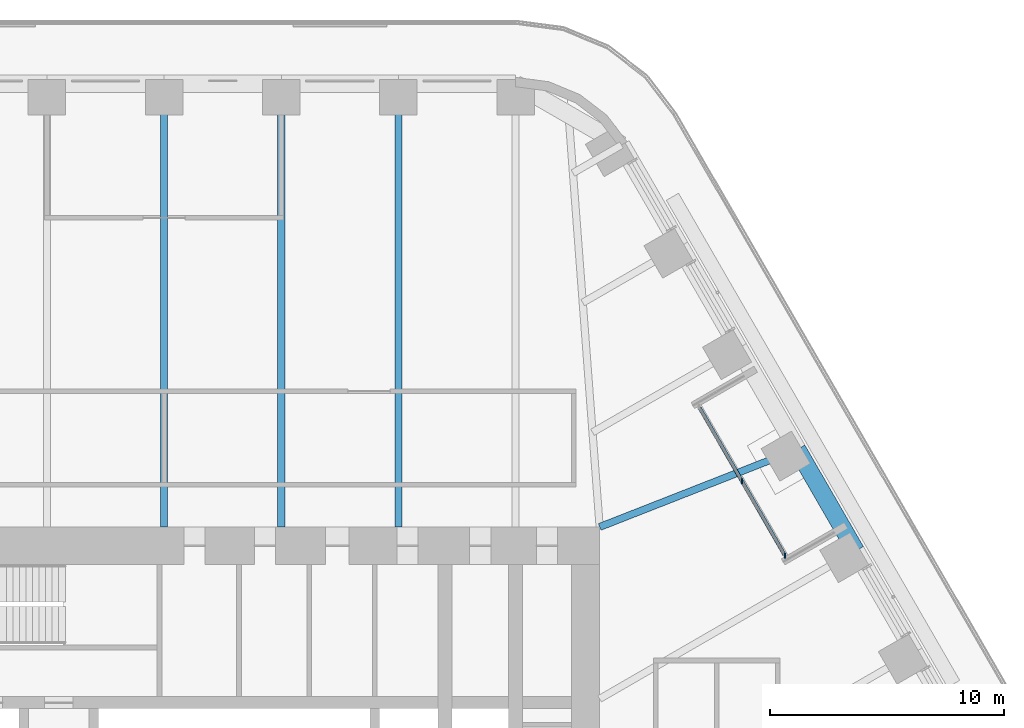
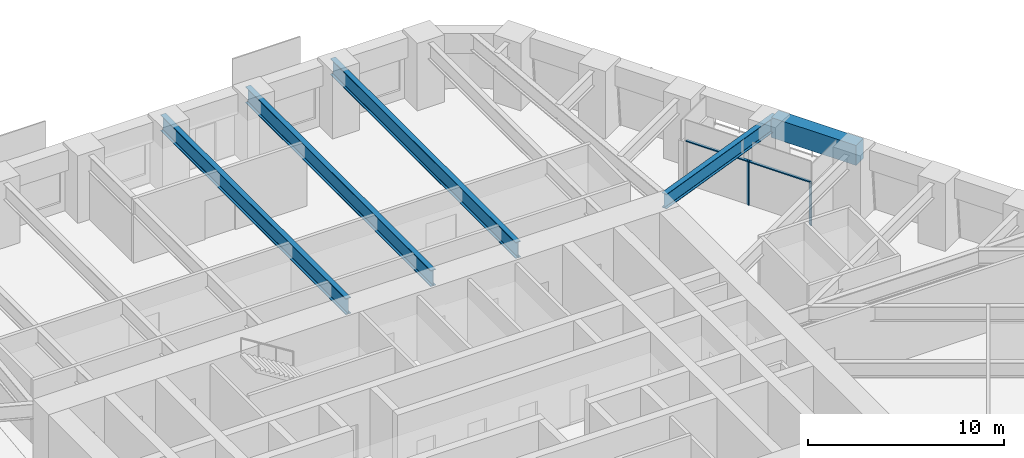
# One storey, part 11 of 24: 5 beams, 3 members, 1 element without a shape of its own.
"""IFC4 building model written with IfcOpenShell, lengths in metres."""

from ifc_helpers import new_model, si_unit, direction, frame, origin, origin_2d, place, context, subcontext, project, spatial, rectangle, i_section, extrude, material, material_profile, profile_set, type_object, element, aggregate, save


model = new_model("IFC4")

# Units and contexts
model_context = context("Model", 3, precision=1e-05, world=origin(), true_north=direction((0.0, 1.0)))
body_context = subcontext(model_context, "Body", "Model", "MODEL_VIEW")
ifc_project = project(units=[si_unit("LENGTHUNIT", "METRE"), si_unit("AREAUNIT", "SQUARE_METRE"), si_unit("VOLUMEUNIT", "CUBIC_METRE"), si_unit("PLANEANGLEUNIT", "RADIAN"), si_unit("MASSUNIT", "GRAM", prefix="KILO")], contexts=[model_context])

# Site, building, storey
site_placement = place(None, origin())
site = spatial("IfcSite", under=ifc_project, at=site_placement, CompositionType="ELEMENT")
building_placement = place(site_placement, origin())
building = spatial("IfcBuilding", under=site, at=building_placement, Name="Tarfa Lantern Tower", CompositionType="ELEMENT")
storey_placement = place(building_placement, frame((0.0, 0.0, 157.300048828125)))
storey = spatial("IfcBuildingStorey", under=building, at=storey_placement, Name="L35", CompositionType="ELEMENT", Elevation=157.300048828125)

# Curtain wall, members
ifc_material_1 = material(Name="Aluminium framed curtain wall", Category="aluminium")
curtain_wall_type = type_object("IfcCurtainWallType", Name="CW10 LOGGIA GLAZING 2750", PredefinedType="USERDEFINED", material=ifc_material_1)
curtain_wall_placement = place(storey_placement, origin())
curtain_wall = element("IfcCurtainWall", 1, at=curtain_wall_placement, inside=storey, type_object=curtain_wall_type, Name="CW10 NEL L35", ObjectType="CURTAIN WALL", PredefinedType="USERDEFINED")
ifc_material_2 = material(Name="Aluminium mullion", Category="aluminium")
ifc_material_profile_1 = material_profile(ifc_material_2, rectangle(XDim=0.06494140625, YDim=0.199951171875, at=origin_2d()), Name="AL MULLION 65x200")
ifc_profile_set_1 = profile_set([ifc_material_profile_1], Name="Aluminium mullion")
member_type_1 = type_object("IfcMemberType", Name="CWM1 MULLION 65x200", PredefinedType="MULLION", material=ifc_profile_set_1)
member_1_placement = place(storey_placement, frame((26.517333984375, 11.070556640625, 0.0), z_axis=(0.0, 0.0, 1.0), x_axis=(1.0, 0.0, 0.0)))
member_1 = element("IfcMember", 2, at=member_1_placement, type_object=member_type_1, Name="CW10 mullion 1", PredefinedType="MULLION", context=body_context, shape_type="SweptSolid", body=[
    extrude(rectangle(XDim=0.06494140625, YDim=0.199951171875, at=origin_2d()), origin(), (0.0, 0.0, 1.0), 2.75),
])
member_2_placement = place(storey_placement, frame((24.681640625, 14.25, 0.0), z_axis=(0.0, 0.0, 1.0), x_axis=(1.0, 0.0, 0.0)))
member_2 = element("IfcMember", 3, at=member_2_placement, type_object=member_type_1, Name="CW10 mullion 2", PredefinedType="MULLION", context=body_context, shape_type="SweptSolid", body=[
    extrude(rectangle(XDim=0.06494140625, YDim=0.199951171875, at=origin_2d()), origin(), (0.0, 0.0, 1.0), 2.75),
])
ifc_material_3 = material(Name="Aluminium transom", Category="aluminium")
ifc_material_profile_2 = material_profile(ifc_material_3, rectangle(XDim=0.14990234375, YDim=0.06494140625, at=origin_2d()), Name="AL TRANSOM 150x65")
ifc_profile_set_2 = profile_set([ifc_material_profile_2], Name="Aluminium transom")
member_type_2 = type_object("IfcMemberType", Name="CWT1 TRANSOM 150x65", PredefinedType="USERDEFINED", material=ifc_profile_set_2)
member_3_placement = place(storey_placement, frame((26.5009765625, 11.098876953125, 2.717529296875), z_axis=(-0.500007048974, 0.866021334019, 0.0), x_axis=(-0.866021334019, -0.500007048974, 0.0)))
member_3 = element("IfcMember", 4, at=member_3_placement, type_object=member_type_2, Name="CW10 transom 1.2", ObjectType="TRANSOM", PredefinedType="USERDEFINED", context=body_context, shape_type="SweptSolid", body=[
    extrude(rectangle(XDim=0.14990234375, YDim=0.06494140625, at=origin_2d()), origin(), (0.0, 0.0, 1.0), 7.27734375),
])
aggregate(curtain_wall, [member_1, member_2, member_3])

# Beams
ifc_material_4 = material(Name="Concrete C80/95", Category="concrete")
ifc_material_profile_3 = material_profile(ifc_material_4, rectangle(XDim=0.75, YDim=1.25, at=origin_2d()), Name="RC 750x1250")
ifc_profile_set_3 = profile_set([ifc_material_profile_3], Name="Concrete C80/95")
beam_type_1 = type_object("IfcBeamType", Name="EB2 RC 750x1250", PredefinedType="SPANDREL", material=ifc_profile_set_3)
beam_1_placement = place(storey_placement, frame((29.5390625, 11.276611328125, 3.375), z_axis=(-0.499964603504, 0.866045838996, 0.0), x_axis=(-0.866045838996, -0.499964603504, 0.0)))
element("IfcBeam", 5, at=beam_1_placement, inside=storey, type_object=beam_type_1, Name="Edge beam NE2", PredefinedType="SPANDREL", context=body_context, shape_type="SweptSolid", body=[
    extrude(rectangle(XDim=0.75, YDim=1.25, at=origin_2d()), origin(), (0.0, 0.0, 1.0), 5.003662109375),
])
ifc_material_5 = material(Name="Steel S460M", Category="steel")
ifc_material_profile_4 = material_profile(ifc_material_5, i_section(OverallWidth=0.302001953125, OverallDepth=1.008056640625, WebThickness=0.02099609375, FlangeThickness=0.0400390625, FilletRadius=0.030029296875, at=origin_2d()), Name="UB1016x305x349")
ifc_profile_set_4 = profile_set([ifc_material_profile_4], Name="Steel S460M")
beam_type_2 = type_object("IfcBeamType", Name="UB1016x305x349", PredefinedType="BEAM", material=ifc_profile_set_4)
for number, where, z_axis, x_axis, name in (
    (6, (10.00732421875, 31.219970703125, 3.495849609375), (0.0, -1.0, 0.0), (1.0, 0.0, 0.0), "Floor beam N1"),
    (7, (5.003662109375, 31.219970703125, 3.495849609375), (0.0, -1.0, 0.0), (1.0, 0.0, 0.0), "Floor beam N2"),
    (8, (0.0, 31.219970703125, 3.495849609375), (0.0, -1.0, 0.0), (1.0, 0.0, 0.0), "Floor beam N3"),
):
    element("IfcBeam", number, at=place(storey_placement, frame(where, z_axis=z_axis, x_axis=x_axis)), inside=storey, type_object=beam_type_2, Name=name, PredefinedType="BEAM", context=body_context, shape_type="SweptSolid", body=[
        extrude(i_section(OverallWidth=0.302001953125, OverallDepth=1.008056640625, WebThickness=0.02099609375, FlangeThickness=0.0400390625, FilletRadius=0.030029296875, at=origin_2d()), origin(), (0.0, 0.0, 1.0), 18.919921875),
    ])
ifc_material_profile_5 = material_profile(ifc_material_5, i_section(OverallWidth=0.305419921875, OverallDepth=0.91845703125, WebThickness=0.017333984375, FlangeThickness=0.02783203125, FilletRadius=0.01904296875, at=origin_2d()), Name="UB914x305x253")
ifc_profile_set_5 = profile_set([ifc_material_profile_5], Name="Steel S460M")
beam_type_3 = type_object("IfcBeamType", Name="UB914x305x253", PredefinedType="BEAM", material=ifc_profile_set_5)
beam_2_placement = place(storey_placement, frame((27.037353515625, 15.610107421875, 3.540771484375), z_axis=(-0.930923282782, -0.365214788274, 0.0), x_axis=(0.365214788274, -0.930923282782, 0.0)))
element("IfcBeam", 9, at=beam_2_placement, inside=storey, type_object=beam_type_3, Name="Floor beam NE3", PredefinedType="BEAM", context=body_context, shape_type="SweptSolid", body=[
    extrude(i_section(OverallWidth=0.305419921875, OverallDepth=0.91845703125, WebThickness=0.017333984375, FlangeThickness=0.02783203125, FilletRadius=0.01904296875, at=origin_2d()), origin(), (0.0, 0.0, 1.0), 9.063232421875),
])

save(model, "model.ifc")
